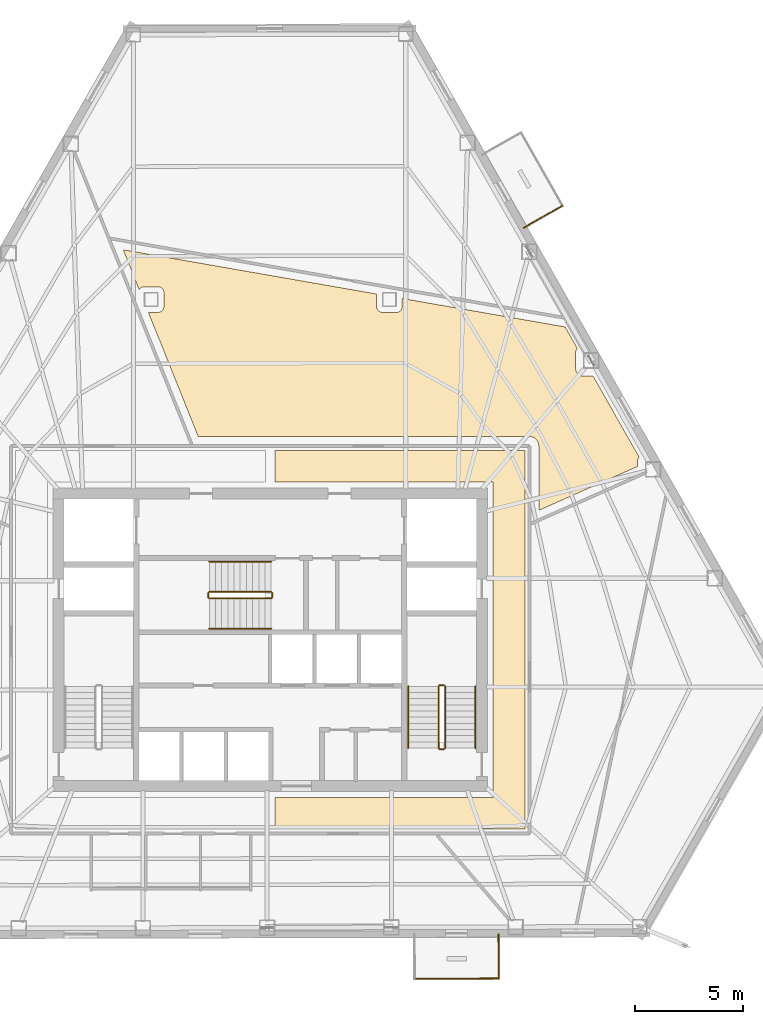
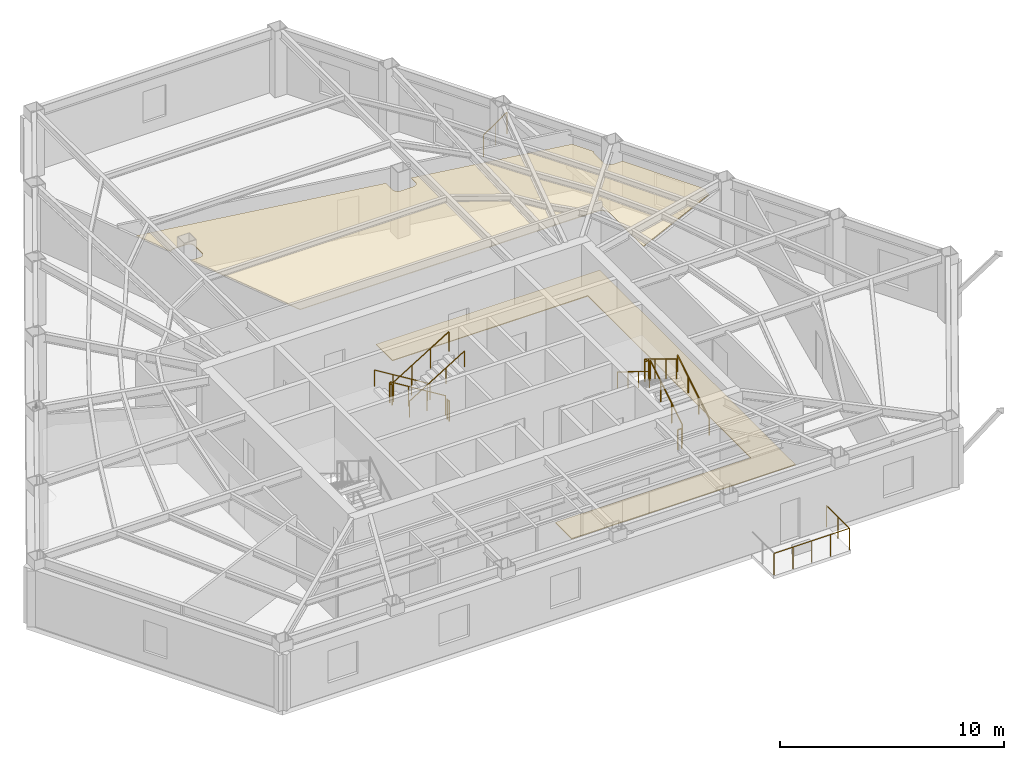
# One storey, part 10 of 11: 15 railings, 2 coverings.
"""IFC4 building model written with IfcOpenShell, lengths in metres."""

from ifc_helpers import new_model, si_unit, direction, frame, origin, origin_2d, place, context, subcontext, project, spatial, polyline, circle, outline, extrude, material, layer, layer_set, type_object, element, save


model = new_model("IFC4")

# Units and contexts
model_context = context("Model", 3, precision=1e-05, world=origin(), true_north=direction((0.0, 1.0)))
body_context = subcontext(model_context, "Body", "Model", "MODEL_VIEW")
ifc_project = project(units=[si_unit("LENGTHUNIT", "METRE"), si_unit("AREAUNIT", "SQUARE_METRE"), si_unit("VOLUMEUNIT", "CUBIC_METRE"), si_unit("PLANEANGLEUNIT", "RADIAN"), si_unit("MASSUNIT", "GRAM", prefix="KILO")], contexts=[model_context])

# Site, building, storey
site_placement = place(None, origin())
site = spatial("IfcSite", under=ifc_project, at=site_placement, CompositionType="ELEMENT")
building_placement = place(site_placement, origin())
building = spatial("IfcBuilding", under=site, at=building_placement, Name="Kavelnor Concourse Tower", CompositionType="ELEMENT")
storey_placement = place(building_placement, frame((0.0, 0.0, 89.35009765625)))
storey = spatial("IfcBuildingStorey", under=building, at=storey_placement, Name="L22", CompositionType="ELEMENT", Elevation=89.35009765625)

# Coverings
ifc_material_1 = material(Name="Mineral fibre acoustic ceiling tile")
ifc_layer_1 = layer(ifc_material_1, 0.0400390625, Name="Mineral fibre acoustic ceiling tile")
ifc_layer_set_1 = layer_set([ifc_layer_1], Name="Mineral fibre acoustic ceiling tile")
covering_type_1 = type_object("IfcCoveringType", Name="COV-CEILING-ACOUSTIC", PredefinedType="CEILING", material=ifc_layer_set_1)
covering_1_placement = place(storey_placement, frame((0.0, 0.0, 2.75)))
element("IfcCovering", 1, at=covering_1_placement, inside=storey, type_object=covering_type_1, Name="L22 Suspended Acoustic Ceiling", PredefinedType="CEILING", context=body_context, shape_type="SweptSolid", body=[
    extrude(outline(polyline([(52.156494140625, 29.547119140625), (52.138427734375, 29.5166015625), (52.123291015625, 29.484619140625), (52.111328125, 29.451416015625), (52.102783203125, 29.4169921875), (52.09765625, 29.382080078125), (52.09619140625, 29.35498046875), (52.09619140625, 28.618408203125), (52.09765625, 28.591552734375), (52.102783203125, 28.556396484375), (52.111328125, 28.522216796875), (52.123291015625, 28.489013671875), (52.138427734375, 28.456787109375), (52.156494140625, 28.426513671875), (52.177734375, 28.398193359375), (52.201416015625, 28.3720703125), (52.227783203125, 28.34814453125), (52.256103515625, 28.3271484375), (52.286376953125, 28.308837890625), (52.318359375, 28.293701171875), (52.351806640625, 28.281982421875), (52.385986328125, 28.273193359375), (52.4208984375, 28.26806640625), (52.447998046875, 28.266845703125), (52.9033203125, 28.266845703125), (55.021240234375, 24.5380859375), (55.01025390625, 24.523193359375), (54.9921875, 24.492919921875), (54.97705078125, 24.460693359375), (54.965087890625, 24.427490234375), (54.95654296875, 24.393310546875), (54.951416015625, 24.358154296875), (54.949951171875, 24.331298828125), (54.949951171875, 24.0966796875), (50.392578125, 22.068603515625), (50.392578125, 25.058349609375), (50.390869140625, 25.091552734375), (50.384765625, 25.132568359375), (50.374755859375, 25.1728515625), (50.360595703125, 25.2119140625), (50.343017578125, 25.24951171875), (50.321533203125, 25.284912109375), (50.296875, 25.318359375), (50.26904296875, 25.34912109375), (50.23828125, 25.376953125), (50.205078125, 25.401611328125), (50.16943359375, 25.423095703125), (50.1318359375, 25.440673828125), (50.0927734375, 25.45458984375), (50.052490234375, 25.46484375), (50.011474609375, 25.470947265625), (49.978271484375, 25.472412109375), (34.679931640625, 25.472412109375), (32.37353515625, 31.2099609375), (32.820068359375, 31.2099609375), (32.832275390625, 31.210205078125), (32.834228515625, 31.21044921875), (32.858642578125, 31.212890625), (32.860595703125, 31.213134765625), (32.884521484375, 31.218017578125), (32.88671875, 31.218505859375), (32.909912109375, 31.2255859375), (32.911865234375, 31.22607421875), (32.9345703125, 31.235595703125), (32.936279296875, 31.236328125), (32.9580078125, 31.247802734375), (32.959716796875, 31.248779296875), (32.97998046875, 31.2626953125), (32.981689453125, 31.263671875), (33.00048828125, 31.279296875), (33.001953125, 31.280517578125), (33.019287109375, 31.298095703125), (33.020751953125, 31.29931640625), (33.036376953125, 31.318359375), (33.037353515625, 31.320068359375), (33.051025390625, 31.34033203125), (33.052001953125, 31.342041015625), (33.063720703125, 31.36376953125), (33.064453125, 31.365478515625), (33.073974609375, 31.38818359375), (33.074462890625, 31.389892578125), (33.08154296875, 31.413330078125), (33.08203125, 31.415283203125), (33.0869140625, 31.439453125), (33.087158203125, 31.44140625), (33.089599609375, 31.4658203125), (33.089599609375, 31.4677734375), (33.090087890625, 31.47998046875), (33.090087890625, 32.1201171875), (33.089599609375, 32.13232421875), (33.089599609375, 32.13427734375), (33.087158203125, 32.15869140625), (33.0869140625, 32.16064453125), (33.08203125, 32.1845703125), (33.08154296875, 32.1865234375), (33.074462890625, 32.2099609375), (33.073974609375, 32.2119140625), (33.064453125, 32.234619140625), (33.063720703125, 32.236328125), (33.052001953125, 32.258056640625), (33.051025390625, 32.259521484375), (33.037353515625, 32.280029296875), (33.036376953125, 32.281494140625), (33.020751953125, 32.300537109375), (33.019287109375, 32.302001953125), (33.001953125, 32.3193359375), (33.00048828125, 32.32080078125), (32.981689453125, 32.336181640625), (32.97998046875, 32.33740234375), (32.959716796875, 32.35107421875), (32.9580078125, 32.35205078125), (32.936279296875, 32.363525390625), (32.9345703125, 32.364501953125), (32.911865234375, 32.373779296875), (32.909912109375, 32.37451171875), (32.88671875, 32.381591796875), (32.884521484375, 32.382080078125), (32.860595703125, 32.386962890625), (32.858642578125, 32.38720703125), (32.834228515625, 32.3896484375), (32.832275390625, 32.3896484375), (32.820068359375, 32.389892578125), (32.179931640625, 32.389892578125), (32.167724609375, 32.3896484375), (32.165771484375, 32.3896484375), (32.141357421875, 32.38720703125), (32.139404296875, 32.386962890625), (32.115478515625, 32.382080078125), (32.11328125, 32.381591796875), (32.090087890625, 32.37451171875), (32.088134765625, 32.373779296875), (32.0654296875, 32.364501953125), (32.063720703125, 32.363525390625), (32.0419921875, 32.35205078125), (32.040283203125, 32.35107421875), (32.02001953125, 32.33740234375), (32.018310546875, 32.336181640625), (31.99951171875, 32.32080078125), (31.998046875, 32.3193359375), (31.980712890625, 32.302001953125), (31.979248046875, 32.300537109375), (31.963623046875, 32.281494140625), (31.962646484375, 32.280029296875), (31.95068359375, 32.26220703125), (31.212158203125, 34.099365234375), (42.909912109375, 32.056884765625), (42.909912109375, 31.47998046875), (42.910400390625, 31.4677734375), (42.910400390625, 31.4658203125), (42.912841796875, 31.44140625), (42.9130859375, 31.439453125), (42.91796875, 31.415283203125), (42.91845703125, 31.413330078125), (42.925537109375, 31.389892578125), (42.926025390625, 31.38818359375), (42.935546875, 31.365478515625), (42.936279296875, 31.36376953125), (42.947998046875, 31.342041015625), (42.948974609375, 31.34033203125), (42.962646484375, 31.320068359375), (42.963623046875, 31.318359375), (42.979248046875, 31.29931640625), (42.980712890625, 31.298095703125), (42.998046875, 31.280517578125), (42.99951171875, 31.279296875), (43.018310546875, 31.263671875), (43.02001953125, 31.2626953125), (43.040283203125, 31.248779296875), (43.0419921875, 31.247802734375), (43.063720703125, 31.236328125), (43.0654296875, 31.235595703125), (43.088134765625, 31.22607421875), (43.090087890625, 31.2255859375), (43.11328125, 31.218505859375), (43.115478515625, 31.218017578125), (43.139404296875, 31.213134765625), (43.141357421875, 31.212890625), (43.165771484375, 31.21044921875), (43.167724609375, 31.210205078125), (43.179931640625, 31.2099609375), (43.820068359375, 31.2099609375), (43.832275390625, 31.210205078125), (43.834228515625, 31.21044921875), (43.858642578125, 31.212890625), (43.860595703125, 31.213134765625), (43.884521484375, 31.218017578125), (43.88671875, 31.218505859375), (43.909912109375, 31.2255859375), (43.911865234375, 31.22607421875), (43.9345703125, 31.235595703125), (43.936279296875, 31.236328125), (43.9580078125, 31.247802734375), (43.959716796875, 31.248779296875), (43.97998046875, 31.2626953125), (43.981689453125, 31.263671875), (44.00048828125, 31.279296875), (44.001953125, 31.280517578125), (44.019287109375, 31.298095703125), (44.020751953125, 31.29931640625), (44.036376953125, 31.318359375), (44.037353515625, 31.320068359375), (44.051025390625, 31.34033203125), (44.052001953125, 31.342041015625), (44.063720703125, 31.36376953125), (44.064453125, 31.365478515625), (44.073974609375, 31.38818359375), (44.074462890625, 31.389892578125), (44.08154296875, 31.413330078125), (44.08203125, 31.415283203125), (44.0869140625, 31.439453125), (44.087158203125, 31.44140625), (44.089599609375, 31.4658203125), (44.089599609375, 31.4677734375), (44.090087890625, 31.47998046875), (44.090087890625, 31.85107421875), (51.61328125, 30.537353515625), (52.16748046875, 29.561767578125), (52.156494140625, 29.547119140625)])), origin(), (0.0, 0.0, 1.0), 0.039794921875),
])
ifc_material_2 = material(Name="Honed bluestone and raised access floor finish", Category="masonry")
ifc_layer_2 = layer(ifc_material_2, 0.0400390625, Name="Honed bluestone and raised access floor finish")
ifc_layer_set_2 = layer_set([ifc_layer_2], Name="Honed bluestone and raised access floor finish")
covering_type_2 = type_object("IfcCoveringType", Name="COV-FLOOR-STONE", PredefinedType="FLOORING", material=ifc_layer_set_2)
covering_2_placement = place(storey_placement, frame((0.0, 0.0, 0.001953125)))
element("IfcCovering", 2, at=covering_2_placement, inside=storey, type_object=covering_type_2, Name="L22 Honed Bluestone Floor Finish", PredefinedType="FLOORING", context=body_context, shape_type="SweptSolid", body=[
    extrude(outline(polyline([(49.75, 7.3701171875), (38.22509765625, 7.3701171875), (38.22509765625, 8.830078125), (48.2900390625, 8.830078125), (48.2900390625, 23.3701171875), (38.22509765625, 23.3701171875), (38.22509765625, 24.830078125), (49.75, 24.830078125), (49.75, 7.3701171875)])), origin(), (0.0, 0.0, 1.0), 0.0400390625),
])

# Railings
ifc_material_3 = material(Name="Steel Grade 350", Category="steel")
railing_type_1 = type_object("IfcRailingType", Name="RLG-GUARD-1100", PredefinedType="GUARDRAIL", material=ifc_material_3)
railing_1_placement = place(storey_placement, frame((46.070068359375, 11.10009765625, 0.1748046875)))
element("IfcRailing", 3, at=railing_1_placement, inside=storey, type_object=railing_type_1, Name="L22 ST2 stair guard 1", PredefinedType="GUARDRAIL", context=body_context, shape_type="SweptSolid", body=[
    extrude(circle(Radius=0.02392578125, at=origin_2d()), frame((0.0, 0.0, 1.076171875), z_axis=(0.0, 0.852159232446, 0.523282564737), x_axis=(-1.0, 0.0, 0.0)), (0.0, 0.0, 1.0), 3.34423828125),
    extrude(circle(Radius=0.02099609375, at=origin_2d()), origin(), (0.0, 0.0, 1.0), 1.052001953125),
    extrude(circle(Radius=0.02099609375, at=origin_2d()), frame((0.0, 0.949951171875, 0.583251953125)), (0.0, 0.0, 1.0), 1.052001953125),
    extrude(circle(Radius=0.02099609375, at=origin_2d()), frame((0.0, 1.89990234375, 1.166748046875)), (0.0, 0.0, 1.0), 1.052001953125),
    extrude(circle(Radius=0.02099609375, at=origin_2d()), frame((0.0, 2.849853515625, 1.75)), (0.0, 0.0, 1.0), 1.052001953125),
])
railing_2_placement = place(storey_placement, frame((46.02001953125, 14.0, 1.9248046875)))
element("IfcRailing", 4, at=railing_2_placement, inside=storey, type_object=railing_type_1, Name="L22 ST2 stair guard 2", PredefinedType="GUARDRAIL", context=body_context, shape_type="SweptSolid", body=[
    extrude(circle(Radius=0.02392578125, at=origin_2d()), frame((0.0, 0.0, 1.076171875), z_axis=(-1.0, 0.0, 0.0), x_axis=(0.0, -1.0, 0.0)), (0.0, 0.0, 1.0), 0.199951171875),
    extrude(circle(Radius=0.02099609375, at=origin_2d()), origin(), (0.0, 0.0, 1.0), 1.052001953125),
    extrude(circle(Radius=0.02099609375, at=origin_2d()), frame((-0.199951171875, 0.0, 0.0)), (0.0, 0.0, 1.0), 1.052001953125),
])
railing_3_placement = place(storey_placement, frame((45.77001953125, 13.949951171875, 2.099853515625)))
element("IfcRailing", 5, at=railing_3_placement, inside=storey, type_object=railing_type_1, Name="L22 ST2 stair guard 3", PredefinedType="GUARDRAIL", context=body_context, shape_type="SweptSolid", body=[
    extrude(circle(Radius=0.02392578125, at=origin_2d()), frame((0.0, 0.0, 1.076171875), z_axis=(0.0, -0.852159232446, 0.523282564737), x_axis=(1.0, 0.0, 0.0)), (0.0, 0.0, 1.0), 3.34423828125),
    extrude(circle(Radius=0.02099609375, at=origin_2d()), origin(), (0.0, 0.0, 1.0), 1.052001953125),
    extrude(circle(Radius=0.02099609375, at=origin_2d()), frame((0.0, -0.949951171875, 0.583251953125)), (0.0, 0.0, 1.0), 1.052001953125),
    extrude(circle(Radius=0.02099609375, at=origin_2d()), frame((0.0, -1.89990234375, 1.166748046875)), (0.0, 0.0, 1.0), 1.052001953125),
    extrude(circle(Radius=0.02099609375, at=origin_2d()), frame((0.0, -2.849853515625, 1.75)), (0.0, 0.0, 1.0), 1.052001953125),
])
railing_4_placement = place(storey_placement, frame((46.02001953125, 11.050048828125, 0.0)))
element("IfcRailing", 6, at=railing_4_placement, inside=storey, type_object=railing_type_1, Name="L22 ST2 stair guard 4", PredefinedType="GUARDRAIL", context=body_context, shape_type="SweptSolid", body=[
    extrude(circle(Radius=0.02392578125, at=origin_2d()), frame((0.0, 0.0, 1.076171875), z_axis=(-1.0, 0.0, 0.0), x_axis=(0.0, -1.0, 0.0)), (0.0, 0.0, 1.0), 0.199951171875),
    extrude(circle(Radius=0.02099609375, at=origin_2d()), origin(), (0.0, 0.0, 1.0), 1.052001953125),
    extrude(circle(Radius=0.02099609375, at=origin_2d()), frame((-0.199951171875, 0.0, 0.0)), (0.0, 0.0, 1.0), 1.052001953125),
])
railing_5_placement = place(storey_placement, frame((38.0400390625, 18.31005859375, 0.1748046875)))
element("IfcRailing", 7, at=railing_5_placement, inside=storey, type_object=railing_type_1, Name="L22 ST3 stair guard 1", PredefinedType="GUARDRAIL", context=body_context, shape_type="SweptSolid", body=[
    extrude(circle(Radius=0.02392578125, at=origin_2d()), frame((0.0, 0.0, 1.076171875), z_axis=(-0.852179220489, 0.0, 0.52325001306), x_axis=(0.0, -1.0, 0.0)), (0.0, 0.0, 1.0), 3.344482421875),
    extrude(circle(Radius=0.02099609375, at=origin_2d()), origin(), (0.0, 0.0, 1.0), 1.052001953125),
    extrude(circle(Radius=0.02099609375, at=origin_2d()), frame((-0.949951171875, 0.0, 0.583251953125)), (0.0, 0.0, 1.0), 1.052001953125),
    extrude(circle(Radius=0.02099609375, at=origin_2d()), frame((-1.900146484375, 0.0, 1.166748046875)), (0.0, 0.0, 1.0), 1.052001953125),
    extrude(circle(Radius=0.02099609375, at=origin_2d()), frame((-2.85009765625, 0.0, 1.75)), (0.0, 0.0, 1.0), 1.052001953125),
])
railing_6_placement = place(storey_placement, frame((35.139892578125, 18.260009765625, 1.9248046875)))
element("IfcRailing", 8, at=railing_6_placement, inside=storey, type_object=railing_type_1, Name="L22 ST3 stair guard 2", PredefinedType="GUARDRAIL", context=body_context, shape_type="SweptSolid", body=[
    extrude(circle(Radius=0.02392578125, at=origin_2d()), frame((0.0, 0.0, 1.076171875), z_axis=(0.0, -1.0, 0.0), x_axis=(1.0, 0.0, 0.0)), (0.0, 0.0, 1.0), 0.199951171875),
    extrude(circle(Radius=0.02099609375, at=origin_2d()), origin(), (0.0, 0.0, 1.0), 1.052001953125),
    extrude(circle(Radius=0.02099609375, at=origin_2d()), frame((0.0, -0.199951171875, 0.0)), (0.0, 0.0, 1.0), 1.052001953125),
])
railing_7_placement = place(storey_placement, frame((35.18994140625, 18.010009765625, 2.099853515625)))
element("IfcRailing", 9, at=railing_7_placement, inside=storey, type_object=railing_type_1, Name="L22 ST3 stair guard 3", PredefinedType="GUARDRAIL", context=body_context, shape_type="SweptSolid", body=[
    extrude(circle(Radius=0.02392578125, at=origin_2d()), frame((0.0, 0.0, 1.076171875), z_axis=(0.852179220489, 0.0, 0.52325001306), x_axis=(0.0, 1.0, 0.0)), (0.0, 0.0, 1.0), 3.344482421875),
    extrude(circle(Radius=0.02099609375, at=origin_2d()), origin(), (0.0, 0.0, 1.0), 1.052001953125),
    extrude(circle(Radius=0.02099609375, at=origin_2d()), frame((0.949951171875, 0.0, 0.583251953125)), (0.0, 0.0, 1.0), 1.052001953125),
    extrude(circle(Radius=0.02099609375, at=origin_2d()), frame((1.900146484375, 0.0, 1.166748046875)), (0.0, 0.0, 1.0), 1.052001953125),
    extrude(circle(Radius=0.02099609375, at=origin_2d()), frame((2.85009765625, 0.0, 1.75)), (0.0, 0.0, 1.0), 1.052001953125),
])
railing_8_placement = place(storey_placement, frame((38.090087890625, 18.260009765625, 0.0)))
element("IfcRailing", 10, at=railing_8_placement, inside=storey, type_object=railing_type_1, Name="L22 ST3 stair guard 4", PredefinedType="GUARDRAIL", context=body_context, shape_type="SweptSolid", body=[
    extrude(circle(Radius=0.02392578125, at=origin_2d()), frame((0.0, 0.0, 1.076171875), z_axis=(0.0, -1.0, 0.0), x_axis=(1.0, 0.0, 0.0)), (0.0, 0.0, 1.0), 0.199951171875),
    extrude(circle(Radius=0.02099609375, at=origin_2d()), origin(), (0.0, 0.0, 1.0), 1.052001953125),
    extrude(circle(Radius=0.02099609375, at=origin_2d()), frame((0.0, -0.199951171875, 0.0)), (0.0, 0.0, 1.0), 1.052001953125),
])
railing_type_2 = type_object("IfcRailingType", Name="RLG-HANDRAIL-900", PredefinedType="HANDRAIL", material=ifc_material_3)
railing_9_placement = place(storey_placement, frame((47.469970703125, 11.10009765625, 0.1748046875)))
element("IfcRailing", 11, at=railing_9_placement, inside=storey, type_object=railing_type_2, Name="L22 ST2 stair handrail 1", PredefinedType="HANDRAIL", context=body_context, shape_type="SweptSolid", body=[
    extrude(circle(Radius=0.02392578125, at=origin_2d()), frame((0.0, 0.0, 0.8759765625), z_axis=(0.0, 0.852159232446, 0.523282564737), x_axis=(-1.0, 0.0, 0.0)), (0.0, 0.0, 1.0), 3.34423828125),
    extrude(circle(Radius=0.02099609375, at=origin_2d()), origin(), (0.0, 0.0, 1.0), 0.851806640625),
    extrude(circle(Radius=0.02099609375, at=origin_2d()), frame((0.0, 0.949951171875, 0.583251953125)), (0.0, 0.0, 1.0), 0.851806640625),
    extrude(circle(Radius=0.02099609375, at=origin_2d()), frame((0.0, 1.89990234375, 1.166748046875)), (0.0, 0.0, 1.0), 0.851806640625),
    extrude(circle(Radius=0.02099609375, at=origin_2d()), frame((0.0, 2.849853515625, 1.75)), (0.0, 0.0, 1.0), 0.851806640625),
])
railing_10_placement = place(storey_placement, frame((44.3701171875, 13.949951171875, 2.099853515625)))
element("IfcRailing", 12, at=railing_10_placement, inside=storey, type_object=railing_type_2, Name="L22 ST2 stair handrail 2", PredefinedType="HANDRAIL", context=body_context, shape_type="SweptSolid", body=[
    extrude(circle(Radius=0.02392578125, at=origin_2d()), frame((0.0, 0.0, 0.8759765625), z_axis=(0.0, -0.852159232446, 0.523282564737), x_axis=(1.0, 0.0, 0.0)), (0.0, 0.0, 1.0), 3.34423828125),
    extrude(circle(Radius=0.02099609375, at=origin_2d()), origin(), (0.0, 0.0, 1.0), 0.851806640625),
    extrude(circle(Radius=0.02099609375, at=origin_2d()), frame((0.0, -0.949951171875, 0.583251953125)), (0.0, 0.0, 1.0), 0.851806640625),
    extrude(circle(Radius=0.02099609375, at=origin_2d()), frame((0.0, -1.89990234375, 1.166748046875)), (0.0, 0.0, 1.0), 0.851806640625),
    extrude(circle(Radius=0.02099609375, at=origin_2d()), frame((0.0, -2.849853515625, 1.75)), (0.0, 0.0, 1.0), 0.851806640625),
])
railing_11_placement = place(storey_placement, frame((38.0400390625, 19.7099609375, 0.1748046875)))
element("IfcRailing", 13, at=railing_11_placement, inside=storey, type_object=railing_type_2, Name="L22 ST3 stair handrail 1", PredefinedType="HANDRAIL", context=body_context, shape_type="SweptSolid", body=[
    extrude(circle(Radius=0.02392578125, at=origin_2d()), frame((0.0, 0.0, 0.8759765625), z_axis=(-0.852179220489, 0.0, 0.52325001306), x_axis=(0.0, -1.0, 0.0)), (0.0, 0.0, 1.0), 3.344482421875),
    extrude(circle(Radius=0.02099609375, at=origin_2d()), origin(), (0.0, 0.0, 1.0), 0.851806640625),
    extrude(circle(Radius=0.02099609375, at=origin_2d()), frame((-0.949951171875, 0.0, 0.583251953125)), (0.0, 0.0, 1.0), 0.851806640625),
    extrude(circle(Radius=0.02099609375, at=origin_2d()), frame((-1.900146484375, 0.0, 1.166748046875)), (0.0, 0.0, 1.0), 0.851806640625),
    extrude(circle(Radius=0.02099609375, at=origin_2d()), frame((-2.85009765625, 0.0, 1.75)), (0.0, 0.0, 1.0), 0.851806640625),
])
railing_12_placement = place(storey_placement, frame((35.18994140625, 16.610107421875, 2.099853515625)))
element("IfcRailing", 14, at=railing_12_placement, inside=storey, type_object=railing_type_2, Name="L22 ST3 stair handrail 2", PredefinedType="HANDRAIL", context=body_context, shape_type="SweptSolid", body=[
    extrude(circle(Radius=0.02392578125, at=origin_2d()), frame((0.0, 0.0, 0.8759765625), z_axis=(0.852179220489, 0.0, 0.52325001306), x_axis=(0.0, 1.0, 0.0)), (0.0, 0.0, 1.0), 3.344482421875),
    extrude(circle(Radius=0.02099609375, at=origin_2d()), origin(), (0.0, 0.0, 1.0), 0.851806640625),
    extrude(circle(Radius=0.02099609375, at=origin_2d()), frame((0.949951171875, 0.0, 0.583251953125)), (0.0, 0.0, 1.0), 0.851806640625),
    extrude(circle(Radius=0.02099609375, at=origin_2d()), frame((1.900146484375, 0.0, 1.166748046875)), (0.0, 0.0, 1.0), 0.851806640625),
    extrude(circle(Radius=0.02099609375, at=origin_2d()), frame((2.85009765625, 0.0, 1.75)), (0.0, 0.0, 1.0), 0.851806640625),
])
ifc_material_4 = material(Name="Architectural bronze-anodised aluminium", Category="aluminium")
railing_type_3 = type_object("IfcRailingType", Name="RLG-TERRACE-1200", PredefinedType="BALUSTRADE", material=ifc_material_4)
railing_13_placement = place(storey_placement, frame((44.65966796875, 0.456787109375, 0.0)))
element("IfcRailing", 15, at=railing_13_placement, inside=storey, type_object=railing_type_3, Name="L22 Tree Balcony 1 Guardrail F", PredefinedType="BALUSTRADE", context=body_context, shape_type="SweptSolid", body=[
    extrude(circle(Radius=0.02392578125, at=origin_2d()), frame((0.0, 0.0, 1.17578125), z_axis=(0.999996339902, 0.002705583755, 0.0), x_axis=(-0.002705583755, 0.999996339902, 0.0)), (0.0, 0.0, 1.0), 3.880126953125),
    extrude(circle(Radius=0.02099609375, at=origin_2d()), origin(), (0.0, 0.0, 1.0), 1.15185546875),
    extrude(circle(Radius=0.02099609375, at=origin_2d()), frame((0.969970703125, 0.002685546875, 0.0)), (0.0, 0.0, 1.0), 1.15185546875),
    extrude(circle(Radius=0.02099609375, at=origin_2d()), frame((1.93994140625, 0.00537109375, 0.0)), (0.0, 0.0, 1.0), 1.15185546875),
    extrude(circle(Radius=0.02099609375, at=origin_2d()), frame((2.91015625, 0.0078125, 0.0)), (0.0, 0.0, 1.0), 1.15185546875),
    extrude(circle(Radius=0.02099609375, at=origin_2d()), frame((3.880126953125, 0.010498046875, 0.0)), (0.0, 0.0, 1.0), 1.15185546875),
])
railing_14_placement = place(storey_placement, frame((48.539794921875, 0.46728515625, 0.0)))
element("IfcRailing", 16, at=railing_14_placement, inside=storey, type_object=railing_type_3, Name="L22 Tree Balcony 1 Guardrail R", PredefinedType="BALUSTRADE", context=body_context, shape_type="SweptSolid", body=[
    extrude(circle(Radius=0.02392578125, at=origin_2d()), frame((0.0, 0.0, 1.17578125), z_axis=(-0.002739389436, 0.999996247866, 0.0), x_axis=(-0.999996247866, -0.002739389436, 0.0)), (0.0, 0.0, 1.0), 2.0498046875),
    extrude(circle(Radius=0.02099609375, at=origin_2d()), origin(), (0.0, 0.0, 1.0), 1.15185546875),
    extrude(circle(Radius=0.02099609375, at=origin_2d()), frame((-0.0029296875, 1.02490234375, 0.0)), (0.0, 0.0, 1.0), 1.15185546875),
    extrude(circle(Radius=0.02099609375, at=origin_2d()), frame((-0.005615234375, 2.0498046875, 0.0)), (0.0, 0.0, 1.0), 1.15185546875),
])
railing_15_placement = place(storey_placement, frame((49.7021484375, 35.116943359375, 0.0)))
element("IfcRailing", 17, at=railing_15_placement, inside=storey, type_object=railing_type_3, Name="L22 Tree Balcony 2 Guardrail L", PredefinedType="BALUSTRADE", context=body_context, shape_type="SweptSolid", body=[
    extrude(circle(Radius=0.02392578125, at=origin_2d()), frame((0.0, 0.0, 1.17578125), z_axis=(0.869522817579, 0.49389277147, 0.0), x_axis=(-0.49389277147, 0.869522817579, 0.0)), (0.0, 0.0, 1.0), 2.050048828125),
    extrude(circle(Radius=0.02099609375, at=origin_2d()), origin(), (0.0, 0.0, 1.0), 1.15185546875),
    extrude(circle(Radius=0.02099609375, at=origin_2d()), frame((0.89111328125, 0.50634765625, 0.0)), (0.0, 0.0, 1.0), 1.15185546875),
    extrude(circle(Radius=0.02099609375, at=origin_2d()), frame((1.782470703125, 1.012451171875, 0.0)), (0.0, 0.0, 1.0), 1.15185546875),
])

save(model, "model.ifc")
